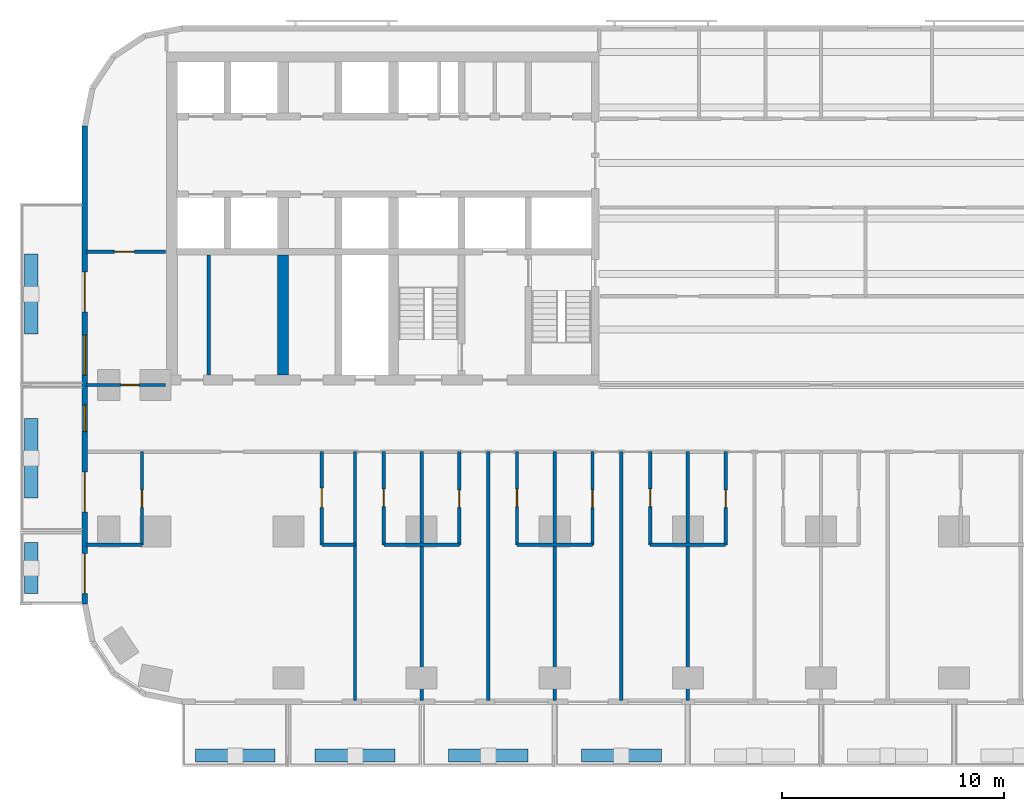
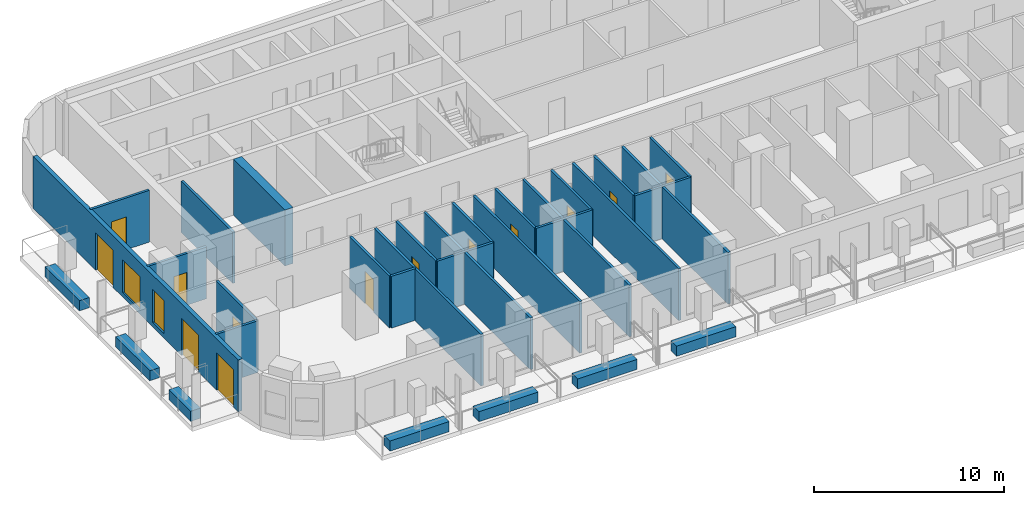
# One storey, part 2 of 14: 31 walls, 13 doors, 2 windows, 15 openings.
"""IFC4 building model written with IfcOpenShell, lengths in metres."""

from ifc_helpers import new_model, si_unit, direction, frame, frame_2d, origin, place, context, subcontext, project, spatial, rectangle, extrude, material, layer, layer_set, type_object, element, fill, save


model = new_model("IFC4")

# Units and contexts
model_context = context("Model", 3, precision=1e-05, world=origin(), true_north=direction((0.0, 1.0)))
body_context = subcontext(model_context, "Body", "Model", "MODEL_VIEW")
ifc_project = project(units=[si_unit("LENGTHUNIT", "METRE"), si_unit("AREAUNIT", "SQUARE_METRE"), si_unit("VOLUMEUNIT", "CUBIC_METRE"), si_unit("PLANEANGLEUNIT", "RADIAN"), si_unit("MASSUNIT", "GRAM", prefix="KILO")], contexts=[model_context])

# Site, building, storey
site_placement = place(None, origin())
site = spatial("IfcSite", under=ifc_project, at=site_placement, CompositionType="ELEMENT")
building_placement = place(site_placement, origin())
building = spatial("IfcBuilding", under=site, at=building_placement, Name="Torana Hotel and Residences", CompositionType="ELEMENT")
storey_placement = place(building_placement, frame((0.0, 0.0, 38.39990234375)))
storey = spatial("IfcBuildingStorey", under=building, at=storey_placement, Name="L08", CompositionType="ELEMENT", Elevation=38.39990234375)

# Wall
ifc_material_1 = material(Name="Concrete C80/95", Category="concrete")
ifc_layer_1 = layer(ifc_material_1, 0.5)
ifc_layer_set_1 = layer_set([ifc_layer_1], Name="CORE WALL 500 C80/95")
wall_type_1 = type_object("IfcWallType", Name="CORE WALL 500 C80/95", PredefinedType="SHEAR", material=ifc_layer_set_1)
wall_1_placement = place(storey_placement, frame((-24.25, -14.550048828125, 0.0), z_axis=(0.0, 0.0, 1.0), x_axis=(0.0, 1.0, 0.0)))
element("IfcWall", 1, at=wall_1_placement, inside=storey, type_object=wall_type_1, Name="Core wall W ml-band", PredefinedType="SHEAR", context=body_context, shape_type="SweptSolid", body=[
    extrude(rectangle(XDim=5.400146484375, YDim=0.5, at=frame_2d((2.7001953125, 0.0))), origin(), (0.0, 0.0, 1.0), 3.60009765625),
])

# Wall, openings, doors, windows
ifc_material_2 = material(Name="Black aluminium composite panel", Category="aluminium")
ifc_layer_2 = layer(ifc_material_2, 0.00390625, Name="Cladding", Category="cladding")
ifc_material_3 = material(Name="Ventilated air cavity")
ifc_layer_3 = layer(ifc_material_3, 0.0400390625, Name="Ventilated cavity", Category="cavity")
ifc_material_4 = material(Name="Mineral wool insulation")
ifc_layer_4 = layer(ifc_material_4, 0.090087890625, Name="Insulation", Category="insulation")
ifc_material_5 = material(Name="Steel S280GD", Category="steel")
ifc_layer_5 = layer(ifc_material_5, 0.092041015625, Name="Steel stud frame", Category="structure")
ifc_material_6 = material(Name="Fire rated plasterboard")
ifc_layer_6 = layer(ifc_material_6, 0.011962890625, Name="Inner board", Category="finish")
ifc_layer_7 = layer(ifc_material_6, 0.011962890625, Name="Second board", Category="finish")
ifc_layer_set_2 = layer_set([ifc_layer_2, ifc_layer_3, ifc_layer_4, ifc_layer_5, ifc_layer_6, ifc_layer_7], Name="EW1 EXTERNAL WALL BLACK METAL CLAD 250")
wall_type_2 = type_object("IfcWallType", Name="EW1 EXTERNAL WALL BLACK METAL CLAD 250", PredefinedType="SOLIDWALL", material=ifc_layer_set_2)
wall_2_placement = place(storey_placement, frame((-33.175048828125, -3.32470703125, 0.0), z_axis=(0.0, 0.0, 1.0), x_axis=(0.0, -1.0, 0.0)))
wall_2 = element("IfcWall", 2, at=wall_2_placement, inside=storey, type_object=wall_type_2, Name="External wall L08 e0.9", PredefinedType="SOLIDWALL", context=body_context, shape_type="SweptSolid", body=[
    extrude(rectangle(XDim=21.55078125, YDim=0.25, at=frame_2d((10.775390625, 0.0))), origin(), (0.0, 0.0, 1.0), 3.320068359375),
])
opening_1_placement = place(wall_2_placement, frame((6.575439453125, 0.0, 0.0)))
opening_1 = element("IfcOpeningElement", 3, at=opening_1_placement, cuts=wall_2, Name="Opening L08-E14", PredefinedType="OPENING", context=body_context, shape_type="SweptSolid", body=[
    extrude(rectangle(XDim=1.800048828125, YDim=2.39990234375, at=frame_2d((0.89990234375, 1.199951171875))), frame((0.0, 0.135009765625, 0.0), z_axis=(0.0, -1.0, 0.0), x_axis=(1.0, 0.0, 0.0)), (0.0, 0.0, 1.0), 0.27001953125),
])
opening_2_placement = place(wall_2_placement, frame((9.42529296875, 0.0, 0.300048828125)))
opening_2 = element("IfcOpeningElement", 4, at=opening_2_placement, cuts=wall_2, Name="Opening W2", PredefinedType="OPENING", context=body_context, shape_type="SweptSolid", body=[
    extrude(rectangle(XDim=1.800048828125, YDim=2.10009765625, at=frame_2d((0.89990234375, 1.050048828125))), frame((0.0, 0.135009765625, 0.0), z_axis=(0.0, -1.0, 0.0), x_axis=(1.0, 0.0, 0.0)), (0.0, 0.0, 1.0), 0.27001953125),
])
opening_3_placement = place(wall_2_placement, frame((12.575439453125, 0.0, 0.300048828125)))
opening_3 = element("IfcOpeningElement", 5, at=opening_3_placement, cuts=wall_2, Name="Opening W7", PredefinedType="OPENING", context=body_context, shape_type="SweptSolid", body=[
    extrude(rectangle(XDim=1.199951171875, YDim=2.10009765625, at=frame_2d((0.60009765625, 1.050048828125))), frame((0.0, 0.135009765625, 0.0), z_axis=(0.0, -1.0, 0.0), x_axis=(1.0, 0.0, 0.0)), (0.0, 0.0, 1.0), 0.27001953125),
])
opening_4_placement = place(wall_2_placement, frame((15.600341796875, 0.0, 0.0)))
opening_4 = element("IfcOpeningElement", 6, at=opening_4_placement, cuts=wall_2, Name="Opening L08-E15", PredefinedType="OPENING", context=body_context, shape_type="SweptSolid", body=[
    extrude(rectangle(XDim=1.800048828125, YDim=2.39990234375, at=frame_2d((0.89990234375, 1.199951171875))), frame((0.0, 0.135009765625, 0.0), z_axis=(0.0, -1.0, 0.0), x_axis=(1.0, 0.0, 0.0)), (0.0, 0.0, 1.0), 0.27001953125),
])
opening_5_placement = place(wall_2_placement, frame((19.275390625, 0.0, 0.0)))
opening_5 = element("IfcOpeningElement", 7, at=opening_5_placement, cuts=wall_2, Name="Opening L08-E16", PredefinedType="OPENING", context=body_context, shape_type="SweptSolid", body=[
    extrude(rectangle(XDim=1.800048828125, YDim=2.39990234375, at=frame_2d((0.89990234375, 1.199951171875))), frame((0.0, 0.135009765625, 0.0), z_axis=(0.0, -1.0, 0.0), x_axis=(1.0, 0.0, 0.0)), (0.0, 0.0, 1.0), 0.27001953125),
])
ifc_material_7 = material(Name="Dark glass in black aluminium frame", Category="aluminium")
door_type_1 = type_object("IfcDoorType", Name="DB1 BALCONY DOOR 1800x2400", OperationType="DOUBLE_DOOR_SINGLE_SWING", PredefinedType="DOOR", material=ifc_material_7)
door_1_placement = place(opening_1_placement, origin())
door_1 = element("IfcDoor", 8, at=door_1_placement, inside=storey, type_object=door_type_1, Name="Balcony door L08", OperationType="DOUBLE_DOOR_SINGLE_SWING", OverallHeight=2.39990234375, OverallWidth=1.800048828125, PredefinedType="DOOR", context=body_context, shape_type="SweptSolid", body=[
    extrude(rectangle(XDim=1.800048828125, YDim=2.39990234375, at=frame_2d((0.89990234375, 1.199951171875))), frame((0.0, 0.02490234375, 0.0), z_axis=(0.0, -1.0, 0.0), x_axis=(1.0, 0.0, 0.0)), (0.0, 0.0, 1.0), 0.050048828125),
])
fill(opening_1, door_1)
door_2_placement = place(opening_4_placement, origin())
door_2 = element("IfcDoor", 9, at=door_2_placement, inside=storey, type_object=door_type_1, Name="Balcony door L08", OperationType="DOUBLE_DOOR_SINGLE_SWING", OverallHeight=2.39990234375, OverallWidth=1.800048828125, PredefinedType="DOOR", context=body_context, shape_type="SweptSolid", body=[
    extrude(rectangle(XDim=1.800048828125, YDim=2.39990234375, at=frame_2d((0.89990234375, 1.199951171875))), frame((0.0, 0.02490234375, 0.0), z_axis=(0.0, -1.0, 0.0), x_axis=(1.0, 0.0, 0.0)), (0.0, 0.0, 1.0), 0.050048828125),
])
fill(opening_4, door_2)
door_3_placement = place(opening_5_placement, origin())
door_3 = element("IfcDoor", 10, at=door_3_placement, inside=storey, type_object=door_type_1, Name="Balcony door L08", OperationType="DOUBLE_DOOR_SINGLE_SWING", OverallHeight=2.39990234375, OverallWidth=1.800048828125, PredefinedType="DOOR", context=body_context, shape_type="SweptSolid", body=[
    extrude(rectangle(XDim=1.800048828125, YDim=2.39990234375, at=frame_2d((0.89990234375, 1.199951171875))), frame((0.0, 0.02490234375, 0.0), z_axis=(0.0, -1.0, 0.0), x_axis=(1.0, 0.0, 0.0)), (0.0, 0.0, 1.0), 0.050048828125),
])
fill(opening_5, door_3)
ifc_material_8 = material(Name="Dark glass in black aluminium frame", Category="aluminium")
window_type_1 = type_object("IfcWindowType", Name="W2 HOTEL ROOM WINDOW NARROW 1800x2100", PartitioningType="SINGLE_PANEL", PredefinedType="WINDOW", material=ifc_material_8)
window_1_placement = place(opening_2_placement, origin())
window_1 = element("IfcWindow", 11, at=window_1_placement, inside=storey, type_object=window_type_1, Name="Window L08", OverallHeight=2.10009765625, OverallWidth=1.800048828125, PartitioningType="SINGLE_PANEL", PredefinedType="WINDOW", context=body_context, shape_type="SweptSolid", body=[
    extrude(rectangle(XDim=1.800048828125, YDim=2.10009765625, at=frame_2d((0.89990234375, 1.050048828125))), frame((0.0, 0.030029296875, 0.0), z_axis=(0.0, -1.0, 0.0), x_axis=(1.0, 0.0, 0.0)), (0.0, 0.0, 1.0), 0.06005859375),
])
fill(opening_2, window_1)
ifc_material_9 = material(Name="Dark glass in black aluminium frame", Category="aluminium")
window_type_2 = type_object("IfcWindowType", Name="W7 HOTEL CORRIDOR WINDOW 1200x2100", PartitioningType="SINGLE_PANEL", PredefinedType="WINDOW", material=ifc_material_9)
window_2_placement = place(opening_3_placement, origin())
window_2 = element("IfcWindow", 12, at=window_2_placement, inside=storey, type_object=window_type_2, Name="Window L08", OverallHeight=2.10009765625, OverallWidth=1.199951171875, PartitioningType="SINGLE_PANEL", PredefinedType="WINDOW", context=body_context, shape_type="SweptSolid", body=[
    extrude(rectangle(XDim=1.199951171875, YDim=2.10009765625, at=frame_2d((0.60009765625, 1.050048828125))), frame((0.0, 0.030029296875, 0.0), z_axis=(0.0, -1.0, 0.0), x_axis=(1.0, 0.0, 0.0)), (0.0, 0.0, 1.0), 0.06005859375),
])
fill(opening_3, window_2)

# Wall
ifc_material_10 = material(Name="Gypsum plaster")
ifc_layer_8 = layer(ifc_material_10, 0.014892578125, Name="Plaster", Category="finish")
ifc_material_11 = material(Name="Concrete blockwork", Category="masonry")
ifc_layer_9 = layer(ifc_material_11, 0.1201171875, Name="Blockwork", Category="structure")
ifc_layer_10 = layer(ifc_material_10, 0.014892578125, Name="Plaster", Category="finish")
ifc_layer_set_3 = layer_set([ifc_layer_8, ifc_layer_9, ifc_layer_10], Name="FIRE PARTITION 150 BLOCKWORK")
wall_type_3 = type_object("IfcWallType", Name="FIRE PARTITION 150 BLOCKWORK", PredefinedType="PARTITIONING", material=ifc_layer_set_3)
wall_3_placement = place(storey_placement, frame((-27.60009765625, -14.550048828125, 0.0), z_axis=(0.0, 0.0, 1.0), x_axis=(0.0, 1.0, 0.0)))
element("IfcWall", 13, at=wall_3_placement, inside=storey, type_object=wall_type_3, Name="Core partition L08", PredefinedType="PARTITIONING", context=body_context, shape_type="SweptSolid", body=[
    extrude(rectangle(XDim=5.400146484375, YDim=0.14990234375, at=frame_2d((2.7001953125, 0.0))), origin(), (0.0, 0.0, 1.0), 3.300048828125),
])

# Wall, opening, door
wall_4_placement = place(storey_placement, frame((-33.1201171875, -15.0, 0.0), z_axis=(0.0, 0.0, 1.0), x_axis=(1.0, 0.0, 0.0)))
wall_4 = element("IfcWall", 14, at=wall_4_placement, inside=storey, type_object=wall_type_3, Name="Partition L08", PredefinedType="PARTITIONING", context=body_context, shape_type="SweptSolid", body=[
    extrude(rectangle(XDim=3.570068359375, YDim=0.14990234375, at=frame_2d((1.78515625, 0.0))), origin(), (0.0, 0.0, 1.0), 3.320068359375),
])
opening_6_placement = place(wall_4_placement, frame((1.580078125, 0.0, 0.0)))
opening_6 = element("IfcOpeningElement", 15, at=opening_6_placement, cuts=wall_4, Name="Opening L08-53", PredefinedType="OPENING", context=body_context, shape_type="SweptSolid", body=[
    extrude(rectangle(XDim=0.800048828125, YDim=2.10009765625, at=frame_2d((0.39990234375, 1.050048828125))), frame((0.0, 0.0849609375, 0.0), z_axis=(0.0, -1.0, 0.0), x_axis=(1.0, 0.0, 0.0)), (0.0, 0.0, 1.0), 0.169921875),
])
ifc_material_12 = material(Name="Steel S235", Category="steel")
door_type_2 = type_object("IfcDoorType", Name="STORE FIRE DOOR D16 800x2100", OperationType="SINGLE_SWING_LEFT", PredefinedType="DOOR", material=ifc_material_12)
door_4_placement = place(opening_6_placement, origin())
door_4 = element("IfcDoor", 16, at=door_4_placement, inside=storey, type_object=door_type_2, Name="Door L08", OperationType="SINGLE_SWING_RIGHT", OverallHeight=2.10009765625, OverallWidth=0.800048828125, PredefinedType="DOOR", context=body_context, shape_type="SweptSolid", body=[
    extrude(rectangle(XDim=0.800048828125, YDim=2.10009765625, at=frame_2d((0.39990234375, 1.050048828125))), frame((0.0, 0.02490234375, 0.0), z_axis=(0.0, -1.0, 0.0), x_axis=(1.0, 0.0, 0.0)), (0.0, 0.0, 1.0), 0.050048828125),
])
fill(opening_6, door_4)

ifc_material_13 = material(Name="Gypsum plasterboard")
ifc_layer_11 = layer(ifc_material_13, 0.012451171875, Name="Plasterboard", Category="finish")
ifc_layer_12 = layer(ifc_material_13, 0.012451171875, Name="Plasterboard", Category="finish")
ifc_layer_13 = layer(ifc_material_5, 0.10009765625, Name="Steel studs with mineral wool", Category="insulation")
ifc_layer_14 = layer(ifc_material_13, 0.012451171875, Name="Plasterboard", Category="finish")
ifc_layer_15 = layer(ifc_material_13, 0.012451171875, Name="Plasterboard", Category="finish")
ifc_layer_set_4 = layer_set([ifc_layer_11, ifc_layer_12, ifc_layer_13, ifc_layer_14, ifc_layer_15], Name="PARTITION 150 PLASTERBOARD")
wall_type_4 = type_object("IfcWallType", Name="PARTITION 150 PLASTERBOARD", PredefinedType="PARTITIONING", material=ifc_layer_set_4)
wall_5_placement = place(storey_placement, frame((-4.300048828125, -22.199951171875, 0.0), z_axis=(0.0, 0.0, 1.0), x_axis=(0.0, 1.0, 0.0)))
wall_5 = element("IfcWall", 17, at=wall_5_placement, inside=storey, type_object=wall_type_4, Name="Partition L08", PredefinedType="PARTITIONING", context=body_context, shape_type="SweptSolid", body=[
    extrude(rectangle(XDim=4.199951171875, YDim=0.14990234375, at=frame_2d((2.10009765625, 0.0))), origin(), (0.0, 0.0, 1.0), 3.320068359375),
])
opening_7_placement = place(wall_5_placement, frame((1.679931640625, 0.0, 0.0)))
opening_7 = element("IfcOpeningElement", 18, at=opening_7_placement, cuts=wall_5, Name="Opening L08-69", PredefinedType="OPENING", context=body_context, shape_type="SweptSolid", body=[
    extrude(rectangle(XDim=0.800048828125, YDim=2.10009765625, at=frame_2d((0.39990234375, 1.050048828125))), frame((0.0, 0.0849609375, 0.0), z_axis=(0.0, -1.0, 0.0), x_axis=(1.0, 0.0, 0.0)), (0.0, 0.0, 1.0), 0.169921875),
])
ifc_material_14 = material(Name="Timber door, painted", Category="wood")
door_type_3 = type_object("IfcDoorType", Name="BATH DOOR D13 800x2100", OperationType="SINGLE_SWING_LEFT", PredefinedType="DOOR", material=ifc_material_14)
door_5_placement = place(opening_7_placement, origin())
door_5 = element("IfcDoor", 19, at=door_5_placement, inside=storey, type_object=door_type_3, Name="Door L08", OperationType="SINGLE_SWING_RIGHT", OverallHeight=2.10009765625, OverallWidth=0.800048828125, PredefinedType="DOOR", context=body_context, shape_type="SweptSolid", body=[
    extrude(rectangle(XDim=0.800048828125, YDim=2.10009765625, at=frame_2d((0.39990234375, 1.050048828125))), frame((0.0, 0.02490234375, 0.0), z_axis=(0.0, -1.0, 0.0), x_axis=(1.0, 0.0, 0.0)), (0.0, 0.0, 1.0), 0.050048828125),
])
fill(opening_7, door_5)

# Wall
wall_6_placement = place(storey_placement, frame((-6.0, -29.219970703125, 0.0), z_axis=(0.0, 0.0, 1.0), x_axis=(0.0, 1.0, 0.0)))
element("IfcWall", 20, at=wall_6_placement, inside=storey, type_object=wall_type_4, Name="Partition L08", PredefinedType="PARTITIONING", context=body_context, shape_type="SweptSolid", body=[
    extrude(rectangle(XDim=11.219970703125, YDim=0.14990234375, at=frame_2d((5.60986328125, 0.0))), origin(), (0.0, 0.0, 1.0), 3.320068359375),
])

# Wall, opening, door
wall_7_placement = place(storey_placement, frame((-7.699951171875, -22.199951171875, 0.0), z_axis=(0.0, 0.0, 1.0), x_axis=(0.0, 1.0, 0.0)))
wall_7 = element("IfcWall", 21, at=wall_7_placement, inside=storey, type_object=wall_type_4, Name="Partition L08", PredefinedType="PARTITIONING", context=body_context, shape_type="SweptSolid", body=[
    extrude(rectangle(XDim=4.199951171875, YDim=0.14990234375, at=frame_2d((2.10009765625, 0.0))), origin(), (0.0, 0.0, 1.0), 3.320068359375),
])
opening_8_placement = place(wall_7_placement, frame((1.719970703125, 0.0, 0.0)))
opening_8 = element("IfcOpeningElement", 22, at=opening_8_placement, cuts=wall_7, Name="Opening L08-68", PredefinedType="OPENING", context=body_context, shape_type="SweptSolid", body=[
    extrude(rectangle(XDim=0.800048828125, YDim=2.10009765625, at=frame_2d((0.39990234375, 1.050048828125))), frame((0.0, 0.0849609375, 0.0), z_axis=(0.0, -1.0, 0.0), x_axis=(1.0, 0.0, 0.0)), (0.0, 0.0, 1.0), 0.169921875),
])
door_6_placement = place(opening_8_placement, origin())
door_6 = element("IfcDoor", 23, at=door_6_placement, inside=storey, type_object=door_type_3, Name="Door L08", OperationType="SINGLE_SWING_RIGHT", OverallHeight=2.10009765625, OverallWidth=0.800048828125, PredefinedType="DOOR", context=body_context, shape_type="SweptSolid", body=[
    extrude(rectangle(XDim=0.800048828125, YDim=2.10009765625, at=frame_2d((0.39990234375, 1.050048828125))), frame((0.0, 0.02490234375, 0.0), z_axis=(0.0, -1.0, 0.0), x_axis=(1.0, 0.0, 0.0)), (0.0, 0.0, 1.0), 0.050048828125),
])
fill(opening_8, door_6)

# Wall
wall_8_placement = place(storey_placement, frame((-9.0, -29.219970703125, 0.0), z_axis=(0.0, 0.0, 1.0), x_axis=(0.0, 1.0, 0.0)))
element("IfcWall", 24, at=wall_8_placement, inside=storey, type_object=wall_type_4, Name="Partition L08", PredefinedType="PARTITIONING", context=body_context, shape_type="SweptSolid", body=[
    extrude(rectangle(XDim=11.219970703125, YDim=0.14990234375, at=frame_2d((5.60986328125, 0.0))), origin(), (0.0, 0.0, 1.0), 3.320068359375),
])

# Wall, opening, door
wall_9_placement = place(storey_placement, frame((-10.300048828125, -22.199951171875, 0.0), z_axis=(0.0, 0.0, 1.0), x_axis=(0.0, 1.0, 0.0)))
wall_9 = element("IfcWall", 25, at=wall_9_placement, inside=storey, type_object=wall_type_4, Name="Partition L08", PredefinedType="PARTITIONING", context=body_context, shape_type="SweptSolid", body=[
    extrude(rectangle(XDim=4.199951171875, YDim=0.14990234375, at=frame_2d((2.10009765625, 0.0))), origin(), (0.0, 0.0, 1.0), 3.320068359375),
])
opening_9_placement = place(wall_9_placement, frame((1.679931640625, 0.0, 0.0)))
opening_9 = element("IfcOpeningElement", 26, at=opening_9_placement, cuts=wall_9, Name="Opening L08-67", PredefinedType="OPENING", context=body_context, shape_type="SweptSolid", body=[
    extrude(rectangle(XDim=0.800048828125, YDim=2.10009765625, at=frame_2d((0.39990234375, 1.050048828125))), frame((0.0, 0.0849609375, 0.0), z_axis=(0.0, -1.0, 0.0), x_axis=(1.0, 0.0, 0.0)), (0.0, 0.0, 1.0), 0.169921875),
])
door_7_placement = place(opening_9_placement, origin())
door_7 = element("IfcDoor", 27, at=door_7_placement, inside=storey, type_object=door_type_3, Name="Door L08", OperationType="SINGLE_SWING_RIGHT", OverallHeight=2.10009765625, OverallWidth=0.800048828125, PredefinedType="DOOR", context=body_context, shape_type="SweptSolid", body=[
    extrude(rectangle(XDim=0.800048828125, YDim=2.10009765625, at=frame_2d((0.39990234375, 1.050048828125))), frame((0.0, 0.02490234375, 0.0), z_axis=(0.0, -1.0, 0.0), x_axis=(1.0, 0.0, 0.0)), (0.0, 0.0, 1.0), 0.050048828125),
])
fill(opening_9, door_7)

# Wall
wall_10_placement = place(storey_placement, frame((-12.0, -29.219970703125, 0.0), z_axis=(0.0, 0.0, 1.0), x_axis=(0.0, 1.0, 0.0)))
element("IfcWall", 28, at=wall_10_placement, inside=storey, type_object=wall_type_4, Name="Partition L08", PredefinedType="PARTITIONING", context=body_context, shape_type="SweptSolid", body=[
    extrude(rectangle(XDim=11.219970703125, YDim=0.14990234375, at=frame_2d((5.60986328125, 0.0))), origin(), (0.0, 0.0, 1.0), 3.320068359375),
])

# Wall, opening, door
wall_11_placement = place(storey_placement, frame((-13.699951171875, -22.199951171875, 0.0), z_axis=(0.0, 0.0, 1.0), x_axis=(0.0, 1.0, 0.0)))
wall_11 = element("IfcWall", 29, at=wall_11_placement, inside=storey, type_object=wall_type_4, Name="Partition L08", PredefinedType="PARTITIONING", context=body_context, shape_type="SweptSolid", body=[
    extrude(rectangle(XDim=4.199951171875, YDim=0.14990234375, at=frame_2d((2.10009765625, 0.0))), origin(), (0.0, 0.0, 1.0), 3.320068359375),
])
opening_10_placement = place(wall_11_placement, frame((1.719970703125, 0.0, 0.0)))
opening_10 = element("IfcOpeningElement", 30, at=opening_10_placement, cuts=wall_11, Name="Opening L08-66", PredefinedType="OPENING", context=body_context, shape_type="SweptSolid", body=[
    extrude(rectangle(XDim=0.800048828125, YDim=2.10009765625, at=frame_2d((0.39990234375, 1.050048828125))), frame((0.0, 0.0849609375, 0.0), z_axis=(0.0, -1.0, 0.0), x_axis=(1.0, 0.0, 0.0)), (0.0, 0.0, 1.0), 0.169921875),
])
door_8_placement = place(opening_10_placement, origin())
door_8 = element("IfcDoor", 31, at=door_8_placement, inside=storey, type_object=door_type_3, Name="Door L08", OperationType="SINGLE_SWING_RIGHT", OverallHeight=2.10009765625, OverallWidth=0.800048828125, PredefinedType="DOOR", context=body_context, shape_type="SweptSolid", body=[
    extrude(rectangle(XDim=0.800048828125, YDim=2.10009765625, at=frame_2d((0.39990234375, 1.050048828125))), frame((0.0, 0.02490234375, 0.0), z_axis=(0.0, -1.0, 0.0), x_axis=(1.0, 0.0, 0.0)), (0.0, 0.0, 1.0), 0.050048828125),
])
fill(opening_10, door_8)

# Wall
wall_12_placement = place(storey_placement, frame((-15.0, -29.219970703125, 0.0), z_axis=(0.0, 0.0, 1.0), x_axis=(0.0, 1.0, 0.0)))
element("IfcWall", 32, at=wall_12_placement, inside=storey, type_object=wall_type_4, Name="Partition L08", PredefinedType="PARTITIONING", context=body_context, shape_type="SweptSolid", body=[
    extrude(rectangle(XDim=11.219970703125, YDim=0.14990234375, at=frame_2d((5.60986328125, 0.0))), origin(), (0.0, 0.0, 1.0), 3.320068359375),
])

# Wall, opening, door
wall_13_placement = place(storey_placement, frame((-16.300048828125, -22.199951171875, 0.0), z_axis=(0.0, 0.0, 1.0), x_axis=(0.0, 1.0, 0.0)))
wall_13 = element("IfcWall", 33, at=wall_13_placement, inside=storey, type_object=wall_type_4, Name="Partition L08", PredefinedType="PARTITIONING", context=body_context, shape_type="SweptSolid", body=[
    extrude(rectangle(XDim=4.199951171875, YDim=0.14990234375, at=frame_2d((2.10009765625, 0.0))), origin(), (0.0, 0.0, 1.0), 3.320068359375),
])
opening_11_placement = place(wall_13_placement, frame((1.679931640625, 0.0, 0.0)))
opening_11 = element("IfcOpeningElement", 34, at=opening_11_placement, cuts=wall_13, Name="Opening L08-65", PredefinedType="OPENING", context=body_context, shape_type="SweptSolid", body=[
    extrude(rectangle(XDim=0.800048828125, YDim=2.10009765625, at=frame_2d((0.39990234375, 1.050048828125))), frame((0.0, 0.0849609375, 0.0), z_axis=(0.0, -1.0, 0.0), x_axis=(1.0, 0.0, 0.0)), (0.0, 0.0, 1.0), 0.169921875),
])
door_9_placement = place(opening_11_placement, origin())
door_9 = element("IfcDoor", 35, at=door_9_placement, inside=storey, type_object=door_type_3, Name="Door L08", OperationType="SINGLE_SWING_RIGHT", OverallHeight=2.10009765625, OverallWidth=0.800048828125, PredefinedType="DOOR", context=body_context, shape_type="SweptSolid", body=[
    extrude(rectangle(XDim=0.800048828125, YDim=2.10009765625, at=frame_2d((0.39990234375, 1.050048828125))), frame((0.0, 0.02490234375, 0.0), z_axis=(0.0, -1.0, 0.0), x_axis=(1.0, 0.0, 0.0)), (0.0, 0.0, 1.0), 0.050048828125),
])
fill(opening_11, door_9)

# Wall
wall_14_placement = place(storey_placement, frame((-18.0, -29.219970703125, 0.0), z_axis=(0.0, 0.0, 1.0), x_axis=(0.0, 1.0, 0.0)))
element("IfcWall", 36, at=wall_14_placement, inside=storey, type_object=wall_type_4, Name="Partition L08", PredefinedType="PARTITIONING", context=body_context, shape_type="SweptSolid", body=[
    extrude(rectangle(XDim=11.219970703125, YDim=0.14990234375, at=frame_2d((5.60986328125, 0.0))), origin(), (0.0, 0.0, 1.0), 3.320068359375),
])

# Wall, opening, door
wall_15_placement = place(storey_placement, frame((-19.699951171875, -22.199951171875, 0.0), z_axis=(0.0, 0.0, 1.0), x_axis=(0.0, 1.0, 0.0)))
wall_15 = element("IfcWall", 37, at=wall_15_placement, inside=storey, type_object=wall_type_4, Name="Partition L08", PredefinedType="PARTITIONING", context=body_context, shape_type="SweptSolid", body=[
    extrude(rectangle(XDim=4.199951171875, YDim=0.14990234375, at=frame_2d((2.10009765625, 0.0))), origin(), (0.0, 0.0, 1.0), 3.320068359375),
])
opening_12_placement = place(wall_15_placement, frame((1.719970703125, 0.0, 0.0)))
opening_12 = element("IfcOpeningElement", 38, at=opening_12_placement, cuts=wall_15, Name="Opening L08-64", PredefinedType="OPENING", context=body_context, shape_type="SweptSolid", body=[
    extrude(rectangle(XDim=0.800048828125, YDim=2.10009765625, at=frame_2d((0.39990234375, 1.050048828125))), frame((0.0, 0.0849609375, 0.0), z_axis=(0.0, -1.0, 0.0), x_axis=(1.0, 0.0, 0.0)), (0.0, 0.0, 1.0), 0.169921875),
])
door_10_placement = place(opening_12_placement, origin())
door_10 = element("IfcDoor", 39, at=door_10_placement, inside=storey, type_object=door_type_3, Name="Door L08", OperationType="SINGLE_SWING_RIGHT", OverallHeight=2.10009765625, OverallWidth=0.800048828125, PredefinedType="DOOR", context=body_context, shape_type="SweptSolid", body=[
    extrude(rectangle(XDim=0.800048828125, YDim=2.10009765625, at=frame_2d((0.39990234375, 1.050048828125))), frame((0.0, 0.02490234375, 0.0), z_axis=(0.0, -1.0, 0.0), x_axis=(1.0, 0.0, 0.0)), (0.0, 0.0, 1.0), 0.050048828125),
])
fill(opening_12, door_10)

# Wall
wall_16_placement = place(storey_placement, frame((-21.0, -29.219970703125, 0.0), z_axis=(0.0, 0.0, 1.0), x_axis=(0.0, 1.0, 0.0)))
element("IfcWall", 40, at=wall_16_placement, inside=storey, type_object=wall_type_4, Name="Partition L08", PredefinedType="PARTITIONING", context=body_context, shape_type="SweptSolid", body=[
    extrude(rectangle(XDim=11.219970703125, YDim=0.14990234375, at=frame_2d((5.60986328125, 0.0))), origin(), (0.0, 0.0, 1.0), 3.320068359375),
])

# Wall, opening, door
wall_17_placement = place(storey_placement, frame((-22.5, -22.199951171875, 0.0), z_axis=(0.0, 0.0, 1.0), x_axis=(0.0, 1.0, 0.0)))
wall_17 = element("IfcWall", 41, at=wall_17_placement, inside=storey, type_object=wall_type_4, Name="Partition L08", PredefinedType="PARTITIONING", context=body_context, shape_type="SweptSolid", body=[
    extrude(rectangle(XDim=4.199951171875, YDim=0.14990234375, at=frame_2d((2.10009765625, 0.0))), origin(), (0.0, 0.0, 1.0), 3.320068359375),
])
opening_13_placement = place(wall_17_placement, frame((1.669921875, 0.0, 0.0)))
opening_13 = element("IfcOpeningElement", 42, at=opening_13_placement, cuts=wall_17, Name="Opening L08-78", PredefinedType="OPENING", context=body_context, shape_type="SweptSolid", body=[
    extrude(rectangle(XDim=0.89990234375, YDim=2.10009765625, at=frame_2d((0.449951171875, 1.050048828125))), frame((0.0, 0.0849609375, 0.0), z_axis=(0.0, -1.0, 0.0), x_axis=(1.0, 0.0, 0.0)), (0.0, 0.0, 1.0), 0.169921875),
])
ifc_material_15 = material(Name="Timber door, oiled ash", Category="wood")
door_type_4 = type_object("IfcDoorType", Name="ROOM DOOR D7 900x2100", OperationType="SINGLE_SWING_LEFT", PredefinedType="DOOR", material=ifc_material_15)
door_11_placement = place(opening_13_placement, origin())
door_11 = element("IfcDoor", 43, at=door_11_placement, inside=storey, type_object=door_type_4, Name="Door L08", OperationType="SINGLE_SWING_RIGHT", OverallHeight=2.10009765625, OverallWidth=0.89990234375, PredefinedType="DOOR", context=body_context, shape_type="SweptSolid", body=[
    extrude(rectangle(XDim=0.89990234375, YDim=2.10009765625, at=frame_2d((0.449951171875, 1.050048828125))), frame((0.0, 0.02490234375, 0.0), z_axis=(0.0, -1.0, 0.0), x_axis=(1.0, 0.0, 0.0)), (0.0, 0.0, 1.0), 0.050048828125),
])
fill(opening_13, door_11)

wall_18_placement = place(storey_placement, frame((-30.60009765625, -22.199951171875, 0.0), z_axis=(0.0, 0.0, 1.0), x_axis=(0.0, 1.0, 0.0)))
wall_18 = element("IfcWall", 44, at=wall_18_placement, inside=storey, type_object=wall_type_4, Name="Partition L08", PredefinedType="PARTITIONING", context=body_context, shape_type="SweptSolid", body=[
    extrude(rectangle(XDim=4.199951171875, YDim=0.14990234375, at=frame_2d((2.10009765625, 0.0))), origin(), (0.0, 0.0, 1.0), 3.320068359375),
])
opening_14_placement = place(wall_18_placement, frame((1.679931640625, 0.0, 0.0)))
opening_14 = element("IfcOpeningElement", 45, at=opening_14_placement, cuts=wall_18, Name="Opening L08-79", PredefinedType="OPENING", context=body_context, shape_type="SweptSolid", body=[
    extrude(rectangle(XDim=0.800048828125, YDim=2.10009765625, at=frame_2d((0.39990234375, 1.050048828125))), frame((0.0, 0.0849609375, 0.0), z_axis=(0.0, -1.0, 0.0), x_axis=(1.0, 0.0, 0.0)), (0.0, 0.0, 1.0), 0.169921875),
])
door_12_placement = place(opening_14_placement, origin())
door_12 = element("IfcDoor", 46, at=door_12_placement, inside=storey, type_object=door_type_3, Name="Door L08", OperationType="SINGLE_SWING_RIGHT", OverallHeight=2.10009765625, OverallWidth=0.800048828125, PredefinedType="DOOR", context=body_context, shape_type="SweptSolid", body=[
    extrude(rectangle(XDim=0.800048828125, YDim=2.10009765625, at=frame_2d((0.39990234375, 1.050048828125))), frame((0.0, 0.02490234375, 0.0), z_axis=(0.0, -1.0, 0.0), x_axis=(1.0, 0.0, 0.0)), (0.0, 0.0, 1.0), 0.050048828125),
])
fill(opening_14, door_12)

# Walls
wall_19_placement = place(storey_placement, frame((-33.1201171875, -22.199951171875, 0.0), z_axis=(0.0, 0.0, 1.0), x_axis=(1.0, 0.0, 0.0)))
element("IfcWall", 47, at=wall_19_placement, inside=storey, type_object=wall_type_4, Name="Partition L08", PredefinedType="PARTITIONING", context=body_context, shape_type="SweptSolid", body=[
    extrude(rectangle(XDim=2.52001953125, YDim=0.14990234375, at=frame_2d((1.260009765625, 0.0))), origin(), (0.0, 0.0, 1.0), 3.320068359375),
])
wall_20_placement = place(storey_placement, frame((-22.5, -22.199951171875, 0.0), z_axis=(0.0, 0.0, 1.0), x_axis=(1.0, 0.0, 0.0)))
element("IfcWall", 48, at=wall_20_placement, inside=storey, type_object=wall_type_4, Name="Partition L08", PredefinedType="PARTITIONING", context=body_context, shape_type="SweptSolid", body=[
    extrude(rectangle(XDim=1.5, YDim=0.14990234375, at=frame_2d((0.75, 0.0))), origin(), (0.0, 0.0, 1.0), 3.320068359375),
])
for number, where, z_axis, x_axis, name in (
    (49, (-19.699951171875, -22.199951171875, 0.0), (0.0, 0.0, 1.0), (1.0, 0.0, 0.0), "Partition L08"),
    (50, (-13.699951171875, -22.199951171875, 0.0), (0.0, 0.0, 1.0), (1.0, 0.0, 0.0), "Partition L08"),
    (51, (-7.699951171875, -22.199951171875, 0.0), (0.0, 0.0, 1.0), (1.0, 0.0, 0.0), "Partition L08"),
):
    element("IfcWall", number, at=place(storey_placement, frame(where, z_axis=z_axis, x_axis=x_axis)), inside=storey, type_object=wall_type_4, Name=name, PredefinedType="PARTITIONING", context=body_context, shape_type="SweptSolid", body=[
        extrude(rectangle(XDim=3.39990234375, YDim=0.14990234375, at=frame_2d((1.699951171875, 0.0))), origin(), (0.0, 0.0, 1.0), 3.320068359375),
    ])

# Wall, opening, door
wall_21_placement = place(storey_placement, frame((-33.1201171875, -9.0, 0.0), z_axis=(0.0, 0.0, 1.0), x_axis=(1.0, 0.0, 0.0)))
wall_21 = element("IfcWall", 52, at=wall_21_placement, inside=storey, type_object=wall_type_4, Name="Partition L08", PredefinedType="PARTITIONING", context=body_context, shape_type="SweptSolid", body=[
    extrude(rectangle(XDim=3.570068359375, YDim=0.14990234375, at=frame_2d((1.78515625, 0.0))), origin(), (0.0, 0.0, 1.0), 3.320068359375),
])
opening_15_placement = place(wall_21_placement, frame((1.27001953125, 0.0, 0.0)))
opening_15 = element("IfcOpeningElement", 53, at=opening_15_placement, cuts=wall_21, Name="Opening L08-82", PredefinedType="OPENING", context=body_context, shape_type="SweptSolid", body=[
    extrude(rectangle(XDim=0.89990234375, YDim=2.10009765625, at=frame_2d((0.449951171875, 1.050048828125))), frame((0.0, 0.0849609375, 0.0), z_axis=(0.0, -1.0, 0.0), x_axis=(1.0, 0.0, 0.0)), (0.0, 0.0, 1.0), 0.169921875),
])
door_13_placement = place(opening_15_placement, origin())
door_13 = element("IfcDoor", 54, at=door_13_placement, inside=storey, type_object=door_type_4, Name="Door L08", OperationType="SINGLE_SWING_RIGHT", OverallHeight=2.10009765625, OverallWidth=0.89990234375, PredefinedType="DOOR", context=body_context, shape_type="SweptSolid", body=[
    extrude(rectangle(XDim=0.89990234375, YDim=2.10009765625, at=frame_2d((0.449951171875, 1.050048828125))), frame((0.0, 0.02490234375, 0.0), z_axis=(0.0, -1.0, 0.0), x_axis=(1.0, 0.0, 0.0)), (0.0, 0.0, 1.0), 0.050048828125),
])
fill(opening_15, door_13)

# Walls
ifc_material_16 = material(Name="Concrete C40/50 precast", Category="concrete")
ifc_layer_16 = layer(ifc_material_16, 0.10009765625, Name="Planter shell", Category="structure")
ifc_material_17 = material(Name="Root resistant membrane")
ifc_layer_17 = layer(ifc_material_17, 0.00390625, Name="Waterproofing membrane", Category="membrane")
ifc_material_18 = material(Name="Drainage board with filter fleece")
ifc_layer_18 = layer(ifc_material_18, 0.02001953125, Name="Drainage board", Category="drainage")
ifc_material_19 = material(Name="Growing medium")
ifc_layer_19 = layer(ifc_material_19, 0.47607421875, Name="Planting substrate", Category="soil")
ifc_layer_set_5 = layer_set([ifc_layer_16, ifc_layer_17, ifc_layer_18, ifc_layer_19], Name="PL1 BALCONY PLANTER 600")
wall_type_5 = type_object("IfcWallType", Name="PL1 BALCONY PLANTER 600", PredefinedType="USERDEFINED", material=ifc_layer_set_5)
wall_22_placement = place(storey_placement, frame((-24.60009765625, -31.699951171875, 0.0), z_axis=(0.0, 0.0, 1.0), x_axis=(-1.0, 0.0, 0.0)))
element("IfcWall", 55, at=wall_22_placement, inside=storey, type_object=wall_type_5, Name="Planter 01", ObjectType="PLANTER", PredefinedType="USERDEFINED", context=body_context, shape_type="SweptSolid", body=[
    extrude(rectangle(XDim=3.599853515625, YDim=0.60009765625, at=frame_2d((1.7998046875, 0.0))), origin(), (0.0, 0.0, 1.0), 0.650146484375),
])
for number, where, z_axis, x_axis, name in (
    (56, (-19.199951171875, -31.699951171875, 0.0), (0.0, 0.0, 1.0), (-1.0, 0.0, 0.0), "Planter 02"),
    (57, (-13.199951171875, -31.699951171875, 0.0), (0.0, 0.0, 1.0), (-1.0, 0.0, 0.0), "Planter 03"),
    (58, (-7.199951171875, -31.699951171875, 0.0), (0.0, 0.0, 1.0), (-1.0, 0.0, 0.0), "Planter 04"),
):
    element("IfcWall", number, at=place(storey_placement, frame(where, z_axis=z_axis, x_axis=x_axis)), inside=storey, type_object=wall_type_5, Name=name, ObjectType="PLANTER", PredefinedType="USERDEFINED", context=body_context, shape_type="SweptSolid", body=[
        extrude(rectangle(XDim=3.60009765625, YDim=0.60009765625, at=frame_2d((1.800048828125, 0.0))), origin(), (0.0, 0.0, 1.0), 0.650146484375),
    ])
wall_23_placement = place(storey_placement, frame((-35.60009765625, -24.39990234375, 0.0), z_axis=(0.0, 0.0, 1.0), x_axis=(0.0, 1.0, 0.0)))
element("IfcWall", 59, at=wall_23_placement, inside=storey, type_object=wall_type_5, Name="Planter 11", ObjectType="PLANTER", PredefinedType="USERDEFINED", context=body_context, shape_type="SweptSolid", body=[
    extrude(rectangle(XDim=2.2998046875, YDim=0.60009765625, at=frame_2d((1.14990234375, 0.0))), origin(), (0.0, 0.0, 1.0), 0.650146484375),
])
wall_24_placement = place(storey_placement, frame((-35.60009765625, -20.10009765625, 0.0), z_axis=(0.0, 0.0, 1.0), x_axis=(0.0, 1.0, 0.0)))
element("IfcWall", 60, at=wall_24_placement, inside=storey, type_object=wall_type_5, Name="Planter 12", ObjectType="PLANTER", PredefinedType="USERDEFINED", context=body_context, shape_type="SweptSolid", body=[
    extrude(rectangle(XDim=3.60009765625, YDim=0.60009765625, at=frame_2d((1.800048828125, 0.0))), origin(), (0.0, 0.0, 1.0), 0.650146484375),
])
wall_25_placement = place(storey_placement, frame((-35.60009765625, -12.699951171875, 0.0), z_axis=(0.0, 0.0, 1.0), x_axis=(0.0, 1.0, 0.0)))
element("IfcWall", 61, at=wall_25_placement, inside=storey, type_object=wall_type_5, Name="Planter 13", ObjectType="PLANTER", PredefinedType="USERDEFINED", context=body_context, shape_type="SweptSolid", body=[
    extrude(rectangle(XDim=3.599853515625, YDim=0.60009765625, at=frame_2d((1.7998046875, 0.0))), origin(), (0.0, 0.0, 1.0), 0.650146484375),
])

save(model, "model.ifc")
